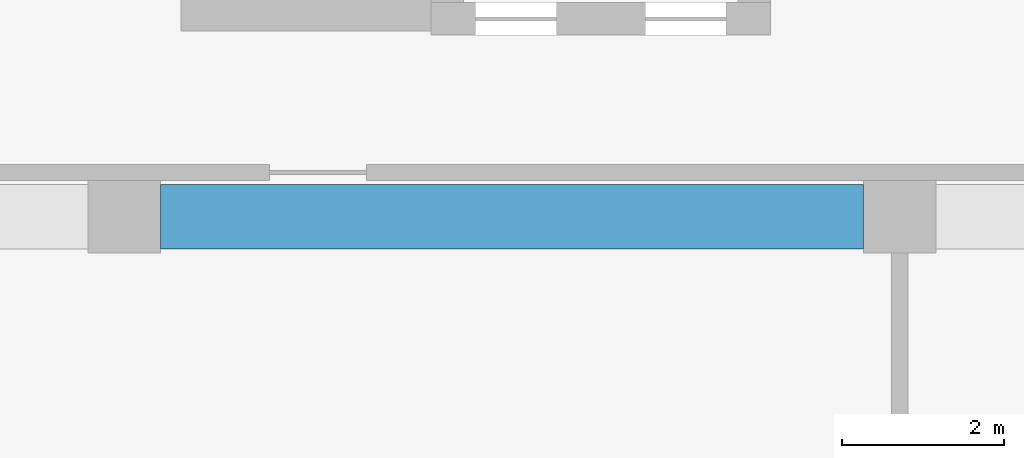
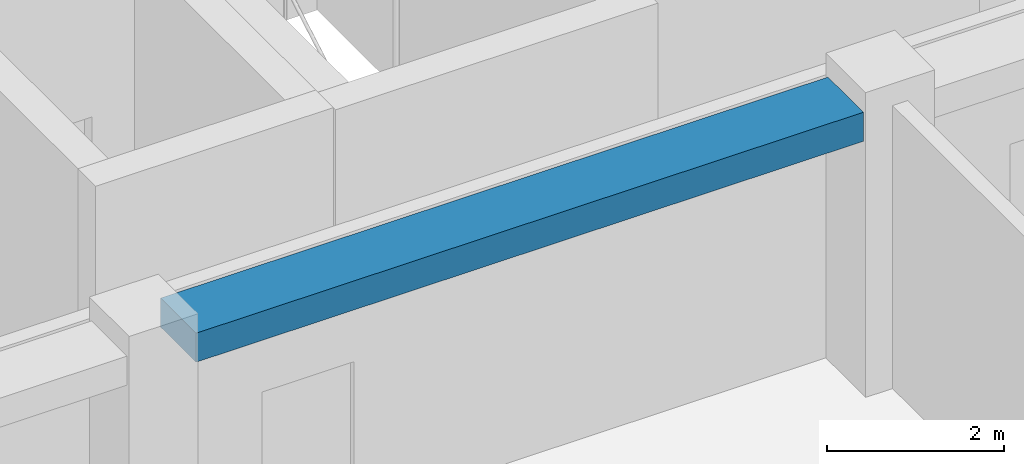
# One storey, part 5 of 36: 1 beam.
"""IFC4 building model written with IfcOpenShell, lengths in metres."""

from ifc_helpers import new_model, si_unit, direction, frame, origin, origin_2d, place, context, subcontext, project, spatial, rectangle, extrude, material, material_profile, profile_set, type_object, element, save


model = new_model("IFC4")

# Units and contexts
model_context = context("Model", 3, precision=1e-05, world=origin(), true_north=direction((0.0, 1.0)))
body_context = subcontext(model_context, "Body", "Model", "MODEL_VIEW")
ifc_project = project(units=[si_unit("LENGTHUNIT", "METRE"), si_unit("AREAUNIT", "SQUARE_METRE"), si_unit("VOLUMEUNIT", "CUBIC_METRE"), si_unit("PLANEANGLEUNIT", "RADIAN"), si_unit("MASSUNIT", "GRAM", prefix="KILO")], contexts=[model_context])

# Site, building, storey
site_placement = place(None, origin())
site = spatial("IfcSite", under=ifc_project, at=site_placement, CompositionType="ELEMENT")
building_placement = place(site_placement, origin())
building = spatial("IfcBuilding", under=site, at=building_placement, Name="Nzadi Deep Aquarium and Research Tower", CompositionType="ELEMENT")
storey_placement = place(building_placement, frame((0.0, 0.0, 40.300048828125)))
storey = spatial("IfcBuildingStorey", under=building, at=storey_placement, Name="L07", CompositionType="ELEMENT", Elevation=40.300048828125)

# Beam
ifc_material = material(Name="Concrete C35/45", Category="concrete")
ifc_material_profile = material_profile(ifc_material, rectangle(XDim=0.800048828125, YDim=0.39990234375, at=origin_2d()))
ifc_profile_set = profile_set([ifc_material_profile], Name="Concrete C35/45")
beam_type = type_object("IfcBeamType", Name="RC 800x400", PredefinedType="BEAM", material=ifc_profile_set)
beam_placement = place(storey_placement, frame((19.64990234375, 9.199951171875, 3.699951171875), z_axis=(1.0, 0.0, 0.0), x_axis=(0.0, 1.0, 0.0)))
element("IfcBeam", 1, at=beam_placement, inside=storey, type_object=beam_type, Name="B-Z1-L07-L2-3", PredefinedType="BEAM", context=body_context, shape_type="SweptSolid", body=[
    extrude(rectangle(XDim=0.800048828125, YDim=0.39990234375, at=origin_2d()), origin(), (0.0, 0.0, 1.0), 8.7001953125),
])

save(model, "model.ifc")
